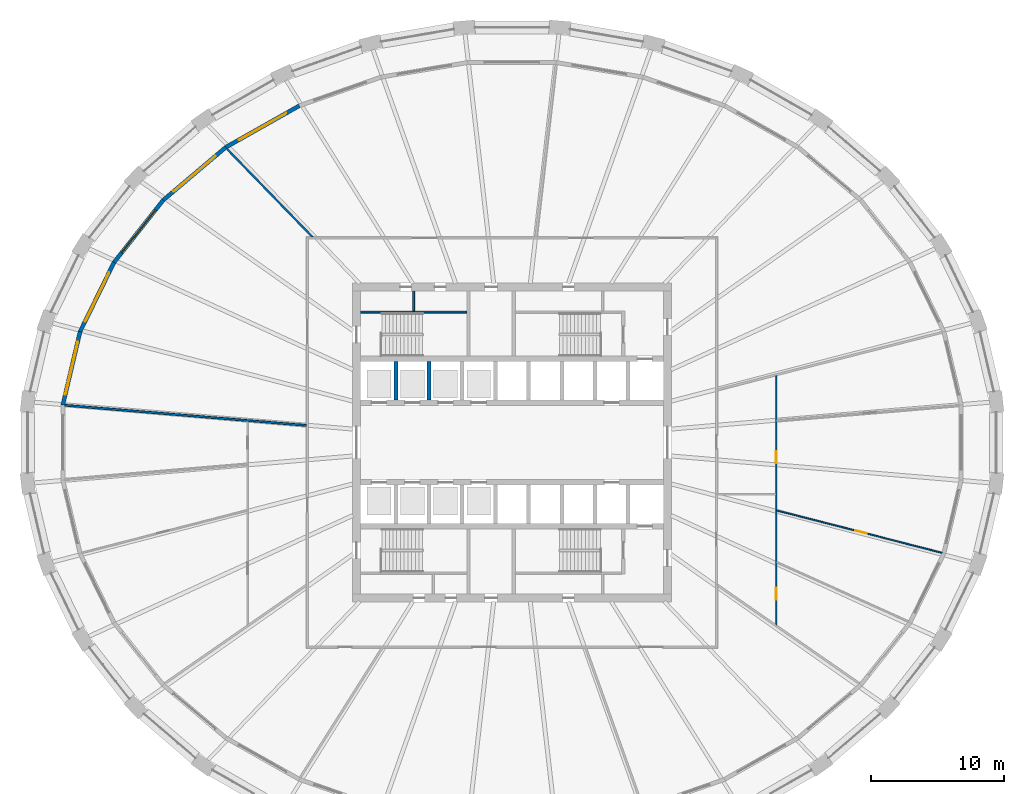
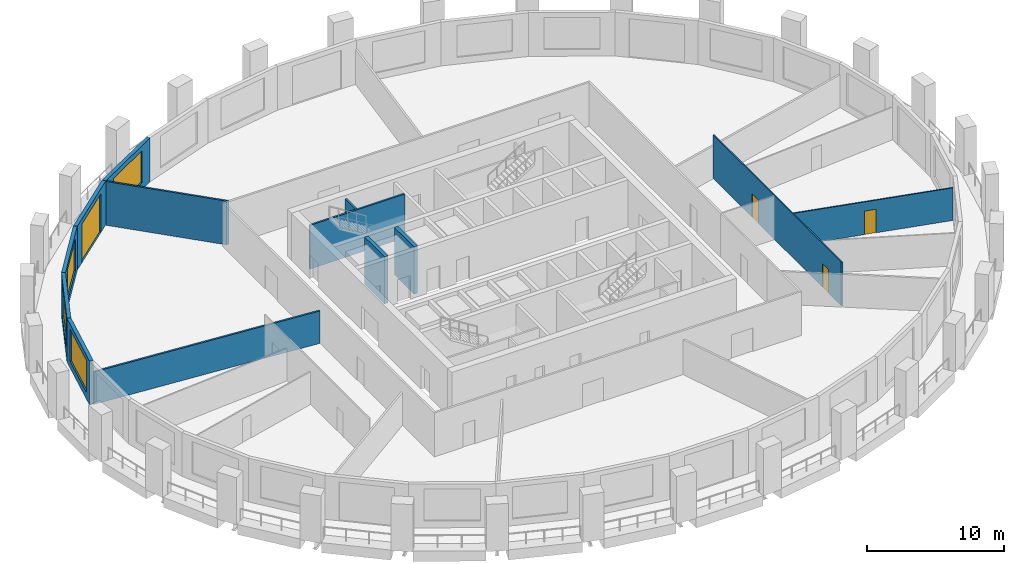
# One storey, part 5 of 11: 13 walls, 4 doors, 4 windows, 8 openings.
"""IFC4 building model written with IfcOpenShell, lengths in metres."""

from ifc_helpers import new_model, si_unit, direction, frame, frame_2d, origin, place, context, subcontext, project, spatial, polyline, rectangle, outline, extrude, material, layer, layer_set, type_object, element, fill, save


model = new_model("IFC4")

# Units and contexts
model_context = context("Model", 3, precision=1e-05, world=origin(), true_north=direction((0.0, 1.0)))
body_context = subcontext(model_context, "Body", "Model", "MODEL_VIEW")
ifc_project = project(units=[si_unit("LENGTHUNIT", "METRE"), si_unit("AREAUNIT", "SQUARE_METRE"), si_unit("VOLUMEUNIT", "CUBIC_METRE"), si_unit("PLANEANGLEUNIT", "RADIAN"), si_unit("MASSUNIT", "GRAM", prefix="KILO")], contexts=[model_context])

# Site, building, storey
site_placement = place(None, origin())
site = spatial("IfcSite", under=ifc_project, at=site_placement, CompositionType="ELEMENT")
building_placement = place(site_placement, origin())
building = spatial("IfcBuilding", under=site, at=building_placement, Name="Halqa Exchange Tower", CompositionType="ELEMENT")
storey_placement = place(building_placement, frame((0.0, 0.0, 73.89990234375)))
storey = spatial("IfcBuildingStorey", under=building, at=storey_placement, Name="L16", CompositionType="ELEMENT", Elevation=73.89990234375)

# Walls
ifc_material_1 = material(Name="Fire-rated gypsum board")
ifc_layer_1 = layer(ifc_material_1, 0.14990234375)
ifc_layer_set_1 = layer_set([ifc_layer_1], Name="Fire-rated gypsum board")
wall_type_1 = type_object("IfcWallType", Name="Fire partition EI 60 150", PredefinedType="PARTITIONING", material=ifc_layer_set_1)
wall_1_placement = place(storey_placement, frame((-33.662353515625, 2.804443359375, 0.0), z_axis=(0.0, 0.0, 1.0), x_axis=(0.996534589799, -0.083179392484, 0.0)))
element("IfcWall", 1, at=wall_1_placement, inside=storey, type_object=wall_type_1, Name="L16-PWL-001", PredefinedType="PARTITIONING", context=body_context, shape_type="SweptSolid", body=[
    extrude(outline(polyline([(18.25634765625, -0.074951171875), (18.25634765625, -0.06884765625), (18.244384765625, 0.074951171875), (16.42041015625, 0.074951171875), (14.596435546875, 0.074951171875), (12.772705078125, 0.074951171875), (10.94873046875, 0.074951171875), (9.124755859375, 0.074951171875), (7.30078125, 0.074951171875), (5.47705078125, 0.074951171875), (3.653076171875, 0.074951171875), (1.8291015625, 0.074951171875), (0.005126953125, 0.074951171875), (0.0, 0.039794921875), (0.0, -0.074951171875), (1.82568359375, -0.074951171875), (3.6513671875, -0.074951171875), (5.476806640625, -0.074951171875), (7.302490234375, -0.074951171875), (9.128173828125, -0.074951171875), (10.953857421875, -0.074951171875), (12.779541015625, -0.074951171875), (14.60498046875, -0.074951171875), (16.4306640625, -0.074951171875), (18.25634765625, -0.074951171875)])), origin(), (0.0, 0.0, 1.0), 2.89208984375),
])
wall_2_placement = place(storey_placement, frame((-14.972412109375, 15.423095703125, 0.0), z_axis=(0.0, 0.0, 1.0), x_axis=(-0.696670635557, 0.717391124529, 0.0)))
element("IfcWall", 2, at=wall_2_placement, inside=storey, type_object=wall_type_1, Name="L16-PWL-009", PredefinedType="PARTITIONING", context=body_context, shape_type="SweptSolid", body=[
    extrude(outline(polyline([(9.29638671875, 0.074951171875), (7.466064453125, 0.074951171875), (5.635986328125, 0.074951171875), (3.8056640625, 0.074951171875), (1.975341796875, 0.074951171875), (0.14501953125, 0.074951171875), (0.0, -0.074462890625), (0.0, -0.074951171875), (1.859375, -0.074951171875), (3.718505859375, -0.074951171875), (5.577880859375, -0.074951171875), (7.43701171875, -0.074951171875), (9.29638671875, -0.074951171875), (9.29638671875, 0.074951171875)])), origin(), (0.0, 0.0, 1.0), 3.900146484375),
])

# Wall, openings, doors
ifc_material_2 = material(Name="Gypsum board")
ifc_layer_2 = layer(ifc_material_2, 0.10009765625)
ifc_layer_set_2 = layer_set([ifc_layer_2], Name="Gypsum board")
wall_type_2 = type_object("IfcWallType", Name="Partition 100 gypsum", PredefinedType="PARTITIONING", material=ifc_layer_set_2)
wall_3_placement = place(storey_placement, frame((19.89990234375, -13.744384765625, 0.0), z_axis=(0.0, 0.0, 1.0), x_axis=(0.0, 1.0, 0.0)))
wall_3 = element("IfcWall", 3, at=wall_3_placement, inside=storey, type_object=wall_type_2, Name="L16-PWL-019", PredefinedType="PARTITIONING", context=body_context, shape_type="SweptSolid", body=[
    extrude(outline(polyline([(0.0, -0.050048828125), (1.55908203125, -0.050048828125), (3.117919921875, -0.050048828125), (4.677001953125, -0.050048828125), (4.677978515625, -0.0478515625), (4.682861328125, -0.050048828125), (6.63134765625, -0.050048828125), (8.579833984375, -0.050048828125), (8.580322265625, -0.048095703125), (8.587646484375, -0.050048828125), (10.2861328125, -0.050048828125), (11.98486328125, -0.050048828125), (13.683349609375, -0.050048828125), (15.382080078125, -0.050048828125), (17.08056640625, -0.050048828125), (18.779296875, -0.050048828125), (18.779296875, -0.04833984375), (18.754150390625, 0.050048828125), (16.984130859375, 0.050048828125), (15.214111328125, 0.050048828125), (13.4443359375, 0.050048828125), (11.67431640625, 0.050048828125), (9.904296875, 0.050048828125), (9.904296875, 0.0498046875), (9.804443359375, 0.0498046875), (9.804443359375, 0.050048828125), (7.857421875, 0.050048828125), (5.91015625, 0.050048828125), (3.963134765625, 0.050048828125), (2.01611328125, 0.050048828125), (0.069091796875, 0.050048828125), (0.0, -0.049560546875), (0.0, -0.050048828125)])), origin(), (0.0, 0.0, 1.0), 3.900146484375),
])
opening_1_placement = place(wall_3_placement, frame((12.179443359375, 0.0, 0.0)))
opening_1 = element("IfcOpeningElement", 4, at=opening_1_placement, cuts=wall_3, Name="Opening 05-14", PredefinedType="OPENING", context=body_context, shape_type="SweptSolid", body=[
    extrude(rectangle(XDim=0.89990234375, YDim=2.10009765625, at=frame_2d((0.449951171875, 1.050048828125))), frame((0.0, 0.06201171875, 0.0), z_axis=(0.0, -1.0, 0.0), x_axis=(1.0, 0.0, 0.0)), (0.0, 0.0, 1.0), 0.1240234375),
])
opening_2_placement = place(wall_3_placement, frame((1.8994140625, 0.0, 0.0)))
opening_2 = element("IfcOpeningElement", 5, at=opening_2_placement, cuts=wall_3, Name="Opening 05-15", PredefinedType="OPENING", context=body_context, shape_type="SweptSolid", body=[
    extrude(rectangle(XDim=0.89990234375, YDim=2.10009765625, at=frame_2d((0.449951171875, 1.050048828125))), frame((0.0, 0.06201171875, 0.0), z_axis=(0.0, -1.0, 0.0), x_axis=(1.0, 0.0, 0.0)), (0.0, 0.0, 1.0), 0.1240234375),
])
ifc_material_3 = material(Name="Timber door leaf", Category="wood")
door_type_1 = type_object("IfcDoorType", Name="Door 900 x 2100", OperationType="SINGLE_SWING_LEFT", PredefinedType="DOOR", material=ifc_material_3)
door_1_placement = place(opening_1_placement, origin())
door_1 = element("IfcDoor", 6, at=door_1_placement, inside=storey, type_object=door_type_1, Name="L16-IDR-014", OperationType="SINGLE_SWING_RIGHT", OverallHeight=2.10009765625, OverallWidth=0.89990234375, PredefinedType="DOOR", context=body_context, shape_type="SweptSolid", body=[
    extrude(rectangle(XDim=0.89990234375, YDim=2.10009765625, at=frame_2d((0.449951171875, 1.050048828125))), frame((0.0, 0.02490234375, 0.0), z_axis=(0.0, -1.0, 0.0), x_axis=(1.0, 0.0, 0.0)), (0.0, 0.0, 1.0), 0.050048828125),
])
fill(opening_1, door_1)
door_2_placement = place(opening_2_placement, origin())
door_2 = element("IfcDoor", 7, at=door_2_placement, inside=storey, type_object=door_type_1, Name="L16-IDR-015", OperationType="SINGLE_SWING_RIGHT", OverallHeight=2.10009765625, OverallWidth=0.89990234375, PredefinedType="DOOR", context=body_context, shape_type="SweptSolid", body=[
    extrude(rectangle(XDim=0.89990234375, YDim=2.10009765625, at=frame_2d((0.449951171875, 1.050048828125))), frame((0.0, 0.02490234375, 0.0), z_axis=(0.0, -1.0, 0.0), x_axis=(1.0, 0.0, 0.0)), (0.0, 0.0, 1.0), 0.050048828125),
])
fill(opening_2, door_2)

# Wall, opening, door
wall_4_placement = place(storey_placement, frame((19.937744140625, -5.109619140625, 0.0), z_axis=(0.0, 0.0, 1.0), x_axis=(0.96855855203, -0.248785713594, 0.0)))
wall_4 = element("IfcWall", 8, at=wall_4_placement, inside=storey, type_object=wall_type_2, Name="L16-PWL-021", PredefinedType="PARTITIONING", context=body_context, shape_type="SweptSolid", body=[
    extrude(outline(polyline([(0.025390625, -0.050048828125), (1.854736328125, -0.050048828125), (3.683837890625, -0.050048828125), (5.512939453125, -0.050048828125), (7.342041015625, -0.050048828125), (9.171142578125, -0.050048828125), (11.000244140625, -0.050048828125), (12.829345703125, -0.050048828125), (12.838623046875, -0.0048828125), (12.838623046875, 0.050048828125), (11.004638671875, 0.050048828125), (9.17041015625, 0.050048828125), (7.33642578125, 0.050048828125), (5.502197265625, 0.050048828125), (3.668212890625, 0.050048828125), (1.833984375, 0.050048828125), (0.0, 0.050048828125), (0.0, 0.04931640625), (0.025390625, -0.050048828125)])), origin(), (0.0, 0.0, 1.0), 2.91015625),
])
opening_3_placement = place(wall_4_placement, frame((6.103271484375, 0.0, 0.0)))
opening_3 = element("IfcOpeningElement", 9, at=opening_3_placement, cuts=wall_4, Name="Opening 05-16", PredefinedType="OPENING", context=body_context, shape_type="SweptSolid", body=[
    extrude(rectangle(XDim=0.89990234375, YDim=2.10009765625, at=frame_2d((0.449951171875, 1.050048828125))), frame((0.0, 0.06201171875, 0.0), z_axis=(0.0, -1.0, 0.0), x_axis=(1.0, 0.0, 0.0)), (0.0, 0.0, 1.0), 0.1240234375),
])
door_3_placement = place(opening_3_placement, frame((0.89990234375, 0.0, 0.0), z_axis=(0.0, 0.0, 1.0), x_axis=(-1.0, 0.0, 0.0)))
door_3 = element("IfcDoor", 10, at=door_3_placement, inside=storey, type_object=door_type_1, Name="L16-IDR-016", OperationType="SINGLE_SWING_LEFT", OverallHeight=2.10009765625, OverallWidth=0.89990234375, PredefinedType="DOOR", context=body_context, shape_type="SweptSolid", body=[
    extrude(rectangle(XDim=0.89990234375, YDim=2.10009765625, at=frame_2d((0.449951171875, 1.050048828125))), frame((0.0, 0.02490234375, 0.0), z_axis=(0.0, -1.0, 0.0), x_axis=(1.0, 0.0, 0.0)), (0.0, 0.0, 1.0), 0.050048828125),
])
fill(opening_3, door_3)

# Walls
ifc_layer_3 = layer(ifc_material_2, 0.14990234375)
ifc_layer_set_3 = layer_set([ifc_layer_3], Name="Gypsum board")
wall_type_3 = type_object("IfcWallType", Name="Penthouse riser wall 150 gypsum", PredefinedType="PARTITIONING", material=ifc_layer_set_3)
wall_5_placement = place(storey_placement, frame((-7.39990234375, 9.89990234375, 0.0), z_axis=(0.0, 0.0, 1.0), x_axis=(0.0, 1.0, 0.0)))
element("IfcWall", 11, at=wall_5_placement, inside=storey, type_object=wall_type_3, Name="Partition W7.400 N", PredefinedType="PARTITIONING", context=body_context, shape_type="SweptSolid", body=[
    extrude(rectangle(XDim=1.5, YDim=0.14990234375, at=frame_2d((0.75, 0.0))), origin(), (0.0, 0.0, 1.0), 3.900146484375),
])
ifc_material_4 = material(Name="Concrete C60/75", Category="concrete")
ifc_layer_4 = layer(ifc_material_4, 0.300048828125)
ifc_layer_set_4 = layer_set([ifc_layer_4], Name="Concrete C60/75")
wall_type_4 = type_object("IfcWallType", Name="RC core wall 300", PredefinedType="SHEAR", material=ifc_layer_set_4)
for number, where, z_axis, x_axis, name in (
    (12, (-8.75, 3.199951171875, 0.0), (0.0, 0.0, 1.0), (0.0, 1.0, 0.0), "Shaft divider N1"),
    (13, (-6.25, 3.199951171875, 0.0), (0.0, 0.0, 1.0), (0.0, 1.0, 0.0), "Shaft divider N2"),
):
    element("IfcWall", number, at=place(storey_placement, frame(where, z_axis=z_axis, x_axis=x_axis)), inside=storey, type_object=wall_type_4, Name=name, PredefinedType="SHEAR", context=body_context, shape_type="SweptSolid", body=[
        extrude(rectangle(XDim=2.900146484375, YDim=0.300048828125, at=frame_2d((1.4501953125, 0.0))), origin(), (0.0, 0.0, 1.0), 4.2001953125),
    ])
ifc_material_5 = material(Name="Concrete C30/37", Category="concrete")
ifc_layer_5 = layer(ifc_material_5, 0.14990234375)
ifc_layer_set_5 = layer_set([ifc_layer_5], Name="Concrete C30/37")
wall_type_5 = type_object("IfcWallType", Name="RC stair wall 150 C30/37", PredefinedType="SHEAR", material=ifc_layer_set_5)
wall_6_placement = place(storey_placement, frame((-11.39990234375, 9.824951171875, 0.0), z_axis=(0.0, 0.0, 1.0), x_axis=(1.0, 0.0, 0.0)))
element("IfcWall", 14, at=wall_6_placement, inside=storey, type_object=wall_type_5, Name="Stair ST1 north wall N", PredefinedType="SHEAR", context=body_context, shape_type="SweptSolid", body=[
    extrude(rectangle(XDim=8.0, YDim=0.14990234375, at=frame_2d((4.0, 0.0))), origin(), (0.0, 0.0, 1.0), 3.900146484375),
])

# Wall, opening, window
ifc_material_6 = material(Name="Limestone cladding", Category="masonry")
ifc_layer_6 = layer(ifc_material_6, 0.0400390625)
ifc_material_7 = material(Name="Ventilated cavity")
ifc_layer_7 = layer(ifc_material_7, 0.030029296875, ventilated=True)
ifc_material_8 = material(Name="Mineral wool insulation")
ifc_layer_8 = layer(ifc_material_8, 0.10009765625)
ifc_layer_9 = layer(ifc_material_5, 0.10009765625)
ifc_material_9 = material(Name="Internal plaster")
ifc_layer_10 = layer(ifc_material_9, 0.030029296875)
ifc_layer_set_6 = layer_set([ifc_layer_6, ifc_layer_7, ifc_layer_8, ifc_layer_9, ifc_layer_10], Name="Stone-faced insulated wall 300")
wall_type_6 = type_object("IfcWallType", Name="Stone-faced insulated wall 300", PredefinedType="STANDARD", material=ifc_layer_set_6)
wall_7_placement = place(storey_placement, frame((-16.01025390625, 25.35888671875, 0.0), z_axis=(0.0, 0.0, 1.0), x_axis=(-0.870710061474, -0.491796694629, 0.0)))
wall_7 = element("IfcWall", 15, at=wall_7_placement, inside=storey, type_object=wall_type_6, Name="Glass-line wall 11", PredefinedType="STANDARD", context=body_context, shape_type="SweptSolid", body=[
    extrude(outline(polyline([(-0.013427734375, -0.14990234375), (6.374755859375, -0.14990234375), (6.346435546875, 0.14990234375), (0.013427734375, 0.14990234375), (-0.013427734375, -0.14990234375)])), origin(), (0.0, 0.0, 1.0), 3.900146484375),
])
opening_4_placement = place(wall_7_placement, frame((1.13037109375, 0.0, 0.60009765625)))
opening_4 = element("IfcOpeningElement", 16, at=opening_4_placement, cuts=wall_7, Name="Opening W-F1-11", PredefinedType="OPENING", context=body_context, shape_type="SweptSolid", body=[
    extrude(rectangle(XDim=4.10009765625, YDim=2.85009765625, at=frame_2d((2.050048828125, 1.425048828125))), frame((0.0, 0.162109375, 0.0), z_axis=(0.0, -1.0, 0.0), x_axis=(1.0, 0.0, 0.0)), (0.0, 0.0, 1.0), 0.323974609375),
])
ifc_material_10 = material(Name="Clear low-emissivity glass in aluminium frame", Category="aluminium")
window_type = type_object("IfcWindowType", Name="Fixed clear glazed window 4100 x 2850", PartitioningType="TRIPLE_PANEL_VERTICAL", PredefinedType="WINDOW", material=ifc_material_10)
window_1_placement = place(opening_4_placement, origin())
window_1 = element("IfcWindow", 17, at=window_1_placement, inside=storey, type_object=window_type, Name="Window 1", OverallHeight=2.85009765625, OverallWidth=4.10009765625, PartitioningType="TRIPLE_PANEL_VERTICAL", PredefinedType="WINDOW", context=body_context, shape_type="SweptSolid", body=[
    extrude(rectangle(XDim=4.10009765625, YDim=2.85009765625, at=frame_2d((2.050048828125, 1.425048828125))), frame((0.0, 0.030029296875, 0.0), z_axis=(0.0, -1.0, 0.0), x_axis=(1.0, 0.0, 0.0)), (0.0, 0.0, 1.0), 0.06005859375),
])
fill(opening_4, window_1)

# Wall, opening, door
wall_8_placement = place(storey_placement, frame((-21.548583984375, 22.230712890625, 0.0), z_axis=(0.0, 0.0, 1.0), x_axis=(-0.763693886759, -0.645578536916, 0.0)))
wall_8 = element("IfcWall", 18, at=wall_8_placement, inside=storey, type_object=wall_type_6, Name="Glass-line wall 12", PredefinedType="STANDARD", context=body_context, shape_type="SweptSolid", body=[
    extrude(outline(polyline([(-0.01416015625, -0.14990234375), (6.18505859375, -0.14990234375), (6.15478515625, 0.14990234375), (0.01416015625, 0.14990234375), (-0.01416015625, -0.14990234375)])), origin(), (0.0, 0.0, 1.0), 3.900146484375),
])
opening_5_placement = place(wall_8_placement, frame((1.034912109375, 0.0, 0.0)))
opening_5 = element("IfcOpeningElement", 19, at=opening_5_placement, cuts=wall_8, Name="Opening LG-F1-03", PredefinedType="OPENING", context=body_context, shape_type="SweptSolid", body=[
    extrude(rectangle(XDim=4.10009765625, YDim=3.449951171875, at=frame_2d((2.050048828125, 1.72509765625))), frame((0.0, 0.162109375, 0.0), z_axis=(0.0, -1.0, 0.0), x_axis=(1.0, 0.0, 0.0)), (0.0, 0.0, 1.0), 0.323974609375),
])
door_type_2 = type_object("IfcDoorType", Name="Glazed sliding loggia door 4100 x 3450", OperationType="DOUBLE_DOOR_SLIDING", PredefinedType="DOOR", material=ifc_material_10)
door_4_placement = place(opening_5_placement, origin())
door_4 = element("IfcDoor", 20, at=door_4_placement, inside=storey, type_object=door_type_2, Name="Loggia door 3", OperationType="DOUBLE_DOOR_SLIDING", OverallHeight=3.449951171875, OverallWidth=4.10009765625, PredefinedType="DOOR", context=body_context, shape_type="SweptSolid", body=[
    extrude(rectangle(XDim=4.10009765625, YDim=3.449951171875, at=frame_2d((2.050048828125, 1.72509765625))), frame((0.0, 0.02490234375, 0.0), z_axis=(0.0, -1.0, 0.0), x_axis=(1.0, 0.0, 0.0)), (0.0, 0.0, 1.0), 0.050048828125),
])
fill(opening_5, door_4)

# Wall, opening, window
wall_9_placement = place(storey_placement, frame((-26.260498046875, 18.24755859375, 0.0), z_axis=(0.0, 0.0, 1.0), x_axis=(-0.620093447965, -0.784527957303, 0.0)))
wall_9 = element("IfcWall", 21, at=wall_9_placement, inside=storey, type_object=wall_type_6, Name="Glass-line wall 13", PredefinedType="STANDARD", context=body_context, shape_type="SweptSolid", body=[
    extrude(outline(polyline([(-0.01513671875, -0.14990234375), (5.9892578125, -0.14990234375), (5.95703125, 0.14990234375), (0.01513671875, 0.14990234375), (-0.01513671875, -0.14990234375)])), origin(), (0.0, 0.0, 1.0), 3.900146484375),
])
opening_6_placement = place(wall_9_placement, frame((0.9365234375, 0.0, 0.60009765625)))
opening_6 = element("IfcOpeningElement", 22, at=opening_6_placement, cuts=wall_9, Name="Opening W-F1-13", PredefinedType="OPENING", context=body_context, shape_type="SweptSolid", body=[
    extrude(rectangle(XDim=4.10009765625, YDim=2.85009765625, at=frame_2d((2.050048828125, 1.425048828125))), frame((0.0, 0.162109375, 0.0), z_axis=(0.0, -1.0, 0.0), x_axis=(1.0, 0.0, 0.0)), (0.0, 0.0, 1.0), 0.323974609375),
])
window_2_placement = place(opening_6_placement, origin())
window_2 = element("IfcWindow", 23, at=window_2_placement, inside=storey, type_object=window_type, Name="Window 1", OverallHeight=2.85009765625, OverallWidth=4.10009765625, PartitioningType="TRIPLE_PANEL_VERTICAL", PredefinedType="WINDOW", context=body_context, shape_type="SweptSolid", body=[
    extrude(rectangle(XDim=4.10009765625, YDim=2.85009765625, at=frame_2d((2.050048828125, 1.425048828125))), frame((0.0, 0.030029296875, 0.0), z_axis=(0.0, -1.0, 0.0), x_axis=(1.0, 0.0, 0.0)), (0.0, 0.0, 1.0), 0.06005859375),
])
fill(opening_6, window_2)

wall_10_placement = place(storey_placement, frame((-29.96435546875, 13.5615234375, 0.0), z_axis=(0.0, 0.0, 1.0), x_axis=(-0.440027465772, -0.897984314655, 0.0)))
wall_10 = element("IfcWall", 24, at=wall_10_placement, inside=storey, type_object=wall_type_6, Name="Glass-line wall 14", PredefinedType="STANDARD", context=body_context, shape_type="SweptSolid", body=[
    extrude(outline(polyline([(-0.01611328125, -0.14990234375), (5.817626953125, -0.14990234375), (5.783935546875, 0.14990234375), (0.01611328125, 0.14990234375), (-0.01611328125, -0.14990234375)])), origin(), (0.0, 0.0, 1.0), 3.900146484375),
])
opening_7_placement = place(wall_10_placement, frame((0.850341796875, 0.0, 0.60009765625)))
opening_7 = element("IfcOpeningElement", 25, at=opening_7_placement, cuts=wall_10, Name="Opening W-F1-14", PredefinedType="OPENING", context=body_context, shape_type="SweptSolid", body=[
    extrude(rectangle(XDim=4.10009765625, YDim=2.85009765625, at=frame_2d((2.050048828125, 1.425048828125))), frame((0.0, 0.162109375, 0.0), z_axis=(0.0, -1.0, 0.0), x_axis=(1.0, 0.0, 0.0)), (0.0, 0.0, 1.0), 0.323974609375),
])
window_3_placement = place(opening_7_placement, origin())
window_3 = element("IfcWindow", 26, at=window_3_placement, inside=storey, type_object=window_type, Name="Window 1", OverallHeight=2.85009765625, OverallWidth=4.10009765625, PartitioningType="TRIPLE_PANEL_VERTICAL", PredefinedType="WINDOW", context=body_context, shape_type="SweptSolid", body=[
    extrude(rectangle(XDim=4.10009765625, YDim=2.85009765625, at=frame_2d((2.050048828125, 1.425048828125))), frame((0.0, 0.030029296875, 0.0), z_axis=(0.0, -1.0, 0.0), x_axis=(1.0, 0.0, 0.0)), (0.0, 0.0, 1.0), 0.06005859375),
])
fill(opening_7, window_3)

wall_11_placement = place(storey_placement, frame((-32.516845703125, 8.3525390625, 0.0), z_axis=(0.0, 0.0, 1.0), x_axis=(-0.229058489262, -0.97341266095, 0.0)))
wall_11 = element("IfcWall", 27, at=wall_11_placement, inside=storey, type_object=wall_type_6, Name="Glass-line wall 15", PredefinedType="STANDARD", context=body_context, shape_type="SweptSolid", body=[
    extrude(outline(polyline([(-0.016845703125, -0.14990234375), (5.700439453125, -0.14990234375), (5.665771484375, 0.14990234375), (0.016845703125, 0.14990234375), (-0.016845703125, -0.14990234375)])), origin(), (0.0, 0.0, 1.0), 3.900146484375),
])
opening_8_placement = place(wall_11_placement, frame((0.79150390625, 0.0, 0.60009765625)))
opening_8 = element("IfcOpeningElement", 28, at=opening_8_placement, cuts=wall_11, Name="Opening W-F1-15", PredefinedType="OPENING", context=body_context, shape_type="SweptSolid", body=[
    extrude(rectangle(XDim=4.10009765625, YDim=2.85009765625, at=frame_2d((2.050048828125, 1.425048828125))), frame((0.0, 0.162109375, 0.0), z_axis=(0.0, -1.0, 0.0), x_axis=(1.0, 0.0, 0.0)), (0.0, 0.0, 1.0), 0.323974609375),
])
window_4_placement = place(opening_8_placement, origin())
window_4 = element("IfcWindow", 29, at=window_4_placement, inside=storey, type_object=window_type, Name="Window 1", OverallHeight=2.85009765625, OverallWidth=4.10009765625, PartitioningType="TRIPLE_PANEL_VERTICAL", PredefinedType="WINDOW", context=body_context, shape_type="SweptSolid", body=[
    extrude(rectangle(XDim=4.10009765625, YDim=2.85009765625, at=frame_2d((2.050048828125, 1.425048828125))), frame((0.0, 0.030029296875, 0.0), z_axis=(0.0, -1.0, 0.0), x_axis=(1.0, 0.0, 0.0)), (0.0, 0.0, 1.0), 0.06005859375),
])
fill(opening_8, window_4)

save(model, "model.ifc")
